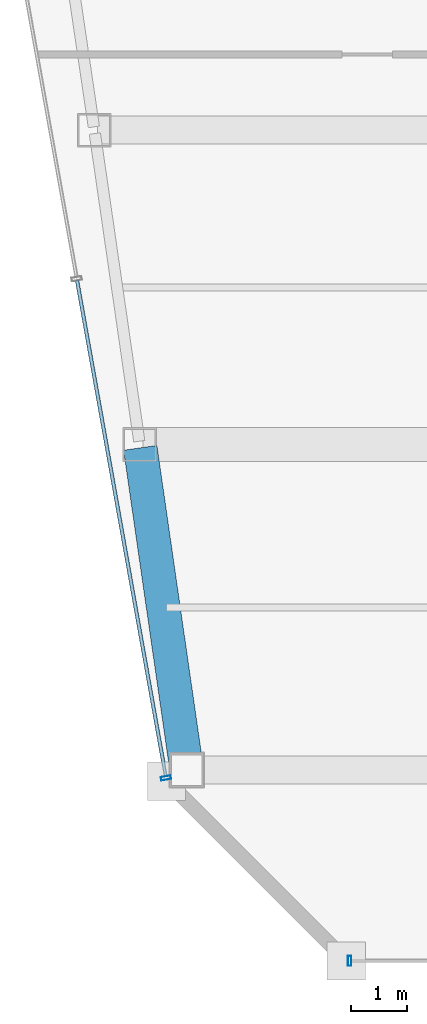
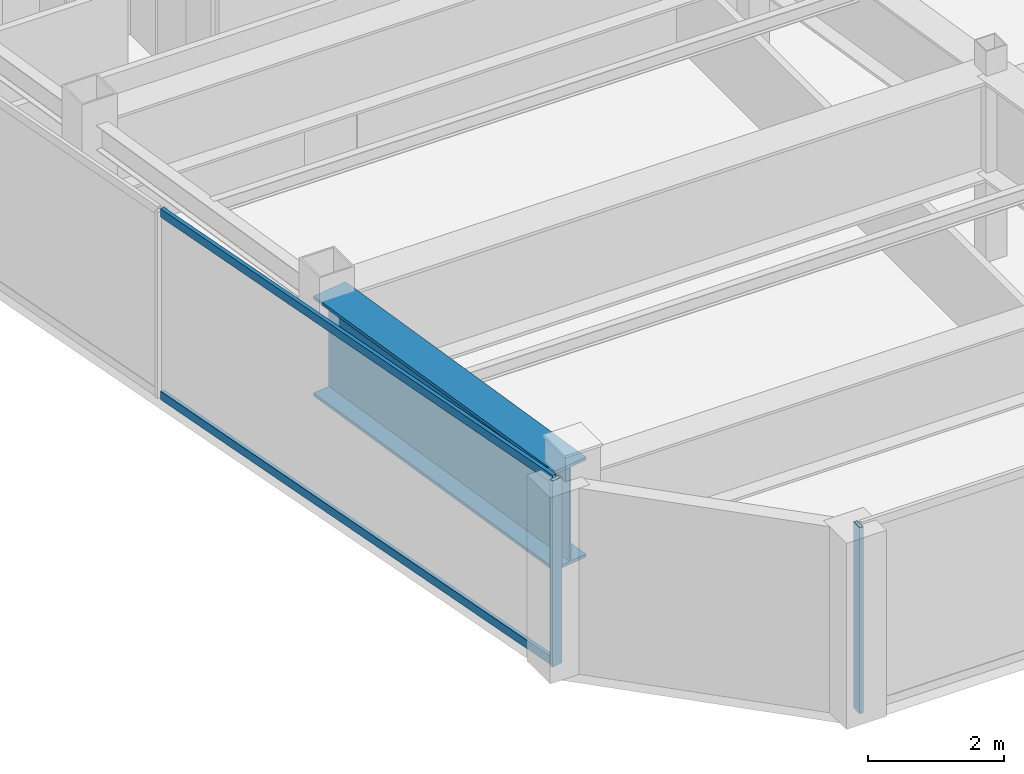
# One storey, part 3 of 30: 4 members, 1 beam, 2 elements without a shape of their own.
"""IFC4 building model written with IfcOpenShell, lengths in metres."""

from ifc_helpers import new_model, si_unit, direction, frame, origin, origin_2d, place, context, subcontext, project, spatial, hollow_rectangle, i_section, extrude, material, material_profile, profile_set, type_object, element, aggregate, save


model = new_model("IFC4")

# Units and contexts
model_context = context("Model", 3, precision=1e-05, world=origin(), true_north=direction((0.0, 1.0)))
body_context = subcontext(model_context, "Body", "Model", "MODEL_VIEW")
ifc_project = project(units=[si_unit("LENGTHUNIT", "METRE"), si_unit("AREAUNIT", "SQUARE_METRE"), si_unit("VOLUMEUNIT", "CUBIC_METRE"), si_unit("PLANEANGLEUNIT", "RADIAN"), si_unit("MASSUNIT", "GRAM", prefix="KILO")], contexts=[model_context])

# Site, building, storey
site_placement = place(None, origin())
site = spatial("IfcSite", under=ifc_project, at=site_placement, CompositionType="ELEMENT")
building_placement = place(site_placement, origin())
building = spatial("IfcBuilding", under=site, at=building_placement, Name="Saevonmaru Cultural Tower", CompositionType="ELEMENT")
storey_placement = place(building_placement, frame((0.0, 0.0, 272.39990234375)))
storey = spatial("IfcBuildingStorey", under=building, at=storey_placement, Name="L64", CompositionType="ELEMENT", Elevation=272.39990234375)

# Beam
ifc_material_1 = material(Name="Steel HSA600 (600 MPa)", Category="steel")
ifc_material_profile_1 = material_profile(ifc_material_1, i_section(OverallWidth=0.60009765625, OverallDepth=1.800048828125, WebThickness=0.028076171875, FlangeThickness=0.054931640625, at=origin_2d()), Name="PG-1800x600x28x55")
ifc_profile_set_1 = profile_set([ifc_material_profile_1], Name="Steel HSA600 (600 MPa)")
beam_type = type_object("IfcBeamType", Name="BM-TG-PG1800-EXT", PredefinedType="SPANDREL", material=ifc_profile_set_1)
beam_placement = place(storey_placement, frame((9.1455078125, 26.259521484375, 2.4501953125), z_axis=(-0.142826510921, 0.989747739466, 0.0), x_axis=(-0.989747739466, -0.142826510921, 0.0)))
element("IfcBeam", 1, at=beam_placement, inside=storey, type_object=beam_type, Name="L64 West Splayed Spandrel 1", PredefinedType="SPANDREL", context=body_context, shape_type="SweptSolid", body=[
    extrude(i_section(OverallWidth=0.60009765625, OverallDepth=1.800048828125, WebThickness=0.028076171875, FlangeThickness=0.054931640625, at=origin_2d()), origin(), (0.0, 0.0, 1.0), 5.739990234375),
])

# Curtain wall, member
ifc_material_2 = material(Name="Satin Bronze Anodised Aluminium", Category="aluminium")
curtain_wall_type = type_object("IfcCurtainWallType", Name="CW-TYP-B", PredefinedType="NOTDEFINED", material=ifc_material_2)
curtain_wall_1_placement = place(storey_placement, origin())
curtain_wall_1 = element("IfcCurtainWall", 2, at=curtain_wall_1_placement, inside=storey, type_object=curtain_wall_type, Name="L64 Unitised Curtain Wall E2", PredefinedType="NOTDEFINED")
ifc_material_profile_2 = material_profile(ifc_material_2, hollow_rectangle(XDim=0.06494140625, YDim=0.179931640625, WallThickness=0.00390625, at=origin_2d()), Name="ALU-MULL-180x65x4")
ifc_profile_set_2 = profile_set([ifc_material_profile_2], Name="Satin Bronze Anodised Aluminium")
member_type_1 = type_object("IfcMemberType", Name="ML-CW-180x65", PredefinedType="MULLION", material=ifc_profile_set_2)
member_1_placement = place(storey_placement, frame((12.0556640625, 22.800048828125, 0.0), z_axis=(0.0, 0.0, 1.0), x_axis=(1.0, 0.0, 0.0)))
member_1 = element("IfcMember", 3, at=member_1_placement, type_object=member_type_1, Name="CW-TW-L64-E2 mullion 1", PredefinedType="MULLION", context=body_context, shape_type="SweptSolid", body=[
    extrude(hollow_rectangle(XDim=0.06494140625, YDim=0.179931640625, WallThickness=0.00390625, at=origin_2d()), origin(), (0.0, 0.0, 1.0), 3.35009765625),
])
aggregate(curtain_wall_1, [member_1])

# Curtain wall, members
curtain_wall_2_placement = place(storey_placement, origin())
curtain_wall_2 = element("IfcCurtainWall", 4, at=curtain_wall_2_placement, inside=storey, type_object=curtain_wall_type, Name="L64 Unitised Curtain Wall E12", PredefinedType="NOTDEFINED")
member_2_placement = place(storey_placement, frame((8.784912109375, 26.05908203125, 0.0), z_axis=(0.0, 0.0, 1.0), x_axis=(0.176140740755, -0.984364993001, 0.0)))
member_2 = element("IfcMember", 5, at=member_2_placement, type_object=member_type_1, Name="CW-TW-L64-E12 mullion 4", PredefinedType="MULLION", context=body_context, shape_type="SweptSolid", body=[
    extrude(hollow_rectangle(XDim=0.06494140625, YDim=0.179931640625, WallThickness=0.00390625, at=origin_2d()), origin(), (0.0, 0.0, 1.0), 3.35009765625),
])
ifc_material_profile_3 = material_profile(ifc_material_2, hollow_rectangle(XDim=0.06494140625, YDim=0.14990234375, WallThickness=0.00390625, at=origin_2d()), Name="ALU-TRAN-150x65x4")
ifc_profile_set_3 = profile_set([ifc_material_profile_3], Name="Satin Bronze Anodised Aluminium")
member_type_2 = type_object("IfcMemberType", Name="TR-CW-150x65", PredefinedType="USERDEFINED", material=ifc_profile_set_3)
member_3_placement = place(storey_placement, frame((7.19921875, 34.921142578125, 0.03271484375), z_axis=(0.176144810911, -0.984364264685, 0.0), x_axis=(0.984364264685, 0.176144810911, 0.0)))
member_3 = element("IfcMember", 6, at=member_3_placement, type_object=member_type_2, Name="CW-TW-L64-E12 transom 3.1", ObjectType="TRANSOM", PredefinedType="USERDEFINED", context=body_context, shape_type="SweptSolid", body=[
    extrude(hollow_rectangle(XDim=0.06494140625, YDim=0.14990234375, WallThickness=0.00390625, at=origin_2d()), origin(), (0.0, 0.0, 1.0), 8.97021484375),
])
member_4_placement = place(storey_placement, frame((7.19921875, 34.921142578125, 3.317626953125), z_axis=(0.176144810911, -0.984364264685, 0.0), x_axis=(0.984364264685, 0.176144810911, 0.0)))
member_4 = element("IfcMember", 7, at=member_4_placement, type_object=member_type_2, Name="CW-TW-L64-E12 transom 3.2", ObjectType="TRANSOM", PredefinedType="USERDEFINED", context=body_context, shape_type="SweptSolid", body=[
    extrude(hollow_rectangle(XDim=0.06494140625, YDim=0.14990234375, WallThickness=0.00390625, at=origin_2d()), origin(), (0.0, 0.0, 1.0), 8.97021484375),
])
aggregate(curtain_wall_2, [member_2, member_3, member_4])

save(model, "model.ifc")
